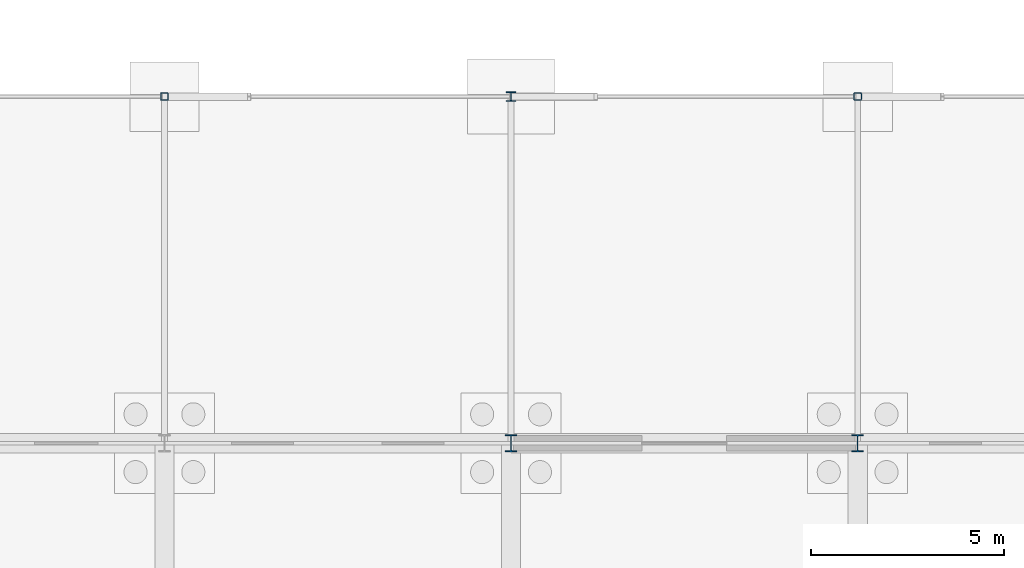
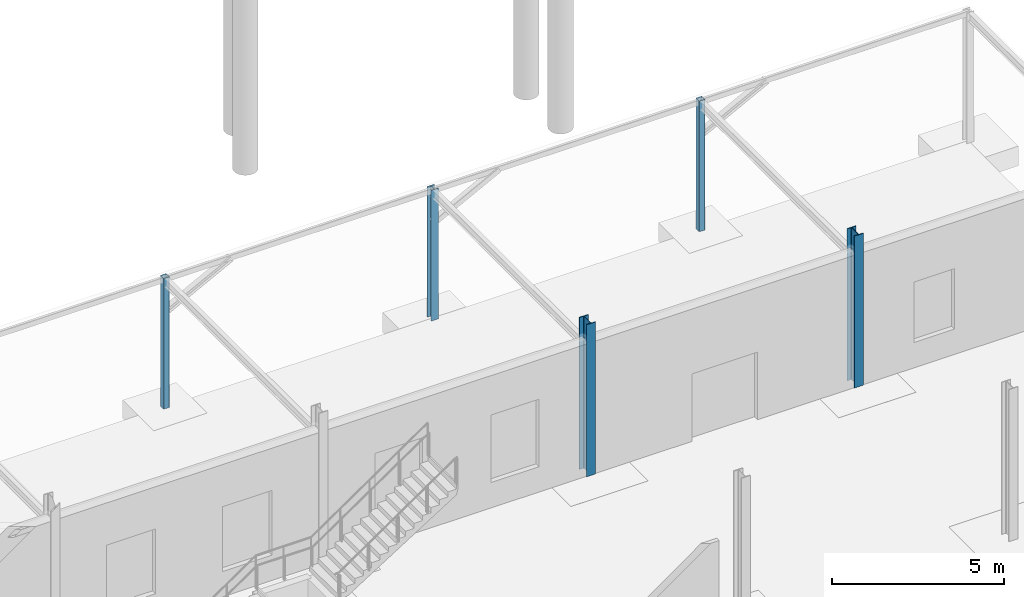
# One storey, part 35 of 118: 5 columns.
"""IFC4 building model written with IfcOpenShell, lengths in metres."""

from ifc_helpers import new_model, si_unit, direction, frame, origin, origin_2d, place, context, subcontext, project, spatial, hollow_rectangle, i_section, extrude, material, material_profile, profile_set, type_object, element, save


model = new_model("IFC4")

# Units and contexts
model_context = context("Model", 3, precision=1e-05, world=origin(), true_north=direction((0.0, 1.0)))
body_context = subcontext(model_context, "Body", "Model", "MODEL_VIEW")
ifc_project = project(units=[si_unit("LENGTHUNIT", "METRE"), si_unit("AREAUNIT", "SQUARE_METRE"), si_unit("VOLUMEUNIT", "CUBIC_METRE"), si_unit("PLANEANGLEUNIT", "RADIAN"), si_unit("MASSUNIT", "GRAM", prefix="KILO")], contexts=[model_context])

# Site, building, storey
site_placement = place(None, origin())
site = spatial("IfcSite", under=ifc_project, at=site_placement, CompositionType="ELEMENT")
building_placement = place(site_placement, origin())
building = spatial("IfcBuilding", under=site, at=building_placement, Name="Kildeholm Park Wholesale Market", CompositionType="ELEMENT")
storey_placement = place(building_placement, origin())
storey = spatial("IfcBuildingStorey", under=building, at=storey_placement, Name="L00", CompositionType="ELEMENT", Elevation=0.0)

# Columns
ifc_material = material(Name="Steel S355", Category="steel")
ifc_material_profile_1 = material_profile(ifc_material, i_section(OverallWidth=0.239990234375, OverallDepth=0.239990234375, WebThickness=0.010009765625, FlangeThickness=0.01708984375, FilletRadius=0.02099609375, at=origin_2d()), Name="HEB 240")
ifc_profile_set_1 = profile_set([ifc_material_profile_1], Name="Steel S355")
column_type_1 = type_object("IfcColumnType", Name="Column C-S01 HEB 240", PredefinedType="COLUMN", material=ifc_profile_set_1)
column_placement = place(storey_placement, frame((171.0, 36.0, 0.0), z_axis=(0.0, 0.0, 1.0), x_axis=(1.0, 0.0, 0.0)))
element("IfcColumn", 1, at=column_placement, inside=storey, type_object=column_type_1, Name="Public passage column 171-036 COL-0901", PredefinedType="COLUMN", context=body_context, shape_type="SweptSolid", body=[
    extrude(i_section(OverallWidth=0.239990234375, OverallDepth=0.239990234375, WebThickness=0.010009765625, FlangeThickness=0.01708984375, FilletRadius=0.02099609375, at=origin_2d()), origin(), (0.0, 0.0, 1.0), 4.639892578125),
])
ifc_material_profile_2 = material_profile(ifc_material, i_section(OverallWidth=0.300048828125, OverallDepth=0.449951171875, WebThickness=0.013916015625, FlangeThickness=0.02587890625, FilletRadius=0.027099609375, at=origin_2d()), Name="HEB 450")
ifc_profile_set_2 = profile_set([ifc_material_profile_2], Name="Steel S355")
column_type_2 = type_object("IfcColumnType", Name="Column C-S06 HEB 450", PredefinedType="COLUMN", material=ifc_profile_set_2)
for number, where, z_axis, x_axis, name in (
    (2, (171.0, 27.0, 0.0), (0.0, 0.0, 1.0), (1.0, 0.0, 0.0), "Column V5E-171-027 L00 COL-0839"),
    (3, (180.0, 27.0, 0.0), (0.0, 0.0, 1.0), (1.0, 0.0, 0.0), "Column V5E-180-027 L00 COL-0853"),
):
    element("IfcColumn", number, at=place(storey_placement, frame(where, z_axis=z_axis, x_axis=x_axis)), inside=storey, type_object=column_type_2, Name=name, PredefinedType="COLUMN", context=body_context, shape_type="SweptSolid", body=[
        extrude(i_section(OverallWidth=0.300048828125, OverallDepth=0.449951171875, WebThickness=0.013916015625, FlangeThickness=0.02587890625, FilletRadius=0.027099609375, at=origin_2d()), origin(), (0.0, 0.0, 1.0), 5.39990234375),
    ])
ifc_material_profile_3 = material_profile(ifc_material, hollow_rectangle(XDim=0.199951171875, YDim=0.199951171875, WallThickness=0.012451171875, InnerFilletRadius=0.012451171875, OuterFilletRadius=0.02490234375, at=origin_2d()), Name="SHS 200x200x12.5")
ifc_profile_set_3 = profile_set([ifc_material_profile_3], Name="Steel S355")
column_type_3 = type_object("IfcColumnType", Name="Column C-S12 SHS 200x200x12.5", PredefinedType="COLUMN", material=ifc_profile_set_3)
for number, where, z_axis, x_axis, name in (
    (4, (162.0, 36.0, 0.0), (0.0, 0.0, 1.0), (1.0, 0.0, 0.0), "Public passage column 162-036 COL-0900"),
    (5, (180.0, 36.0, 0.0), (0.0, 0.0, 1.0), (1.0, 0.0, 0.0), "Public passage column 180-036 COL-0902"),
):
    element("IfcColumn", number, at=place(storey_placement, frame(where, z_axis=z_axis, x_axis=x_axis)), inside=storey, type_object=column_type_3, Name=name, PredefinedType="COLUMN", context=body_context, shape_type="SweptSolid", body=[
        extrude(hollow_rectangle(XDim=0.199951171875, YDim=0.199951171875, WallThickness=0.012451171875, InnerFilletRadius=0.012451171875, OuterFilletRadius=0.02490234375, at=origin_2d()), origin(), (0.0, 0.0, 1.0), 4.639892578125),
    ])

save(model, "model.ifc")
